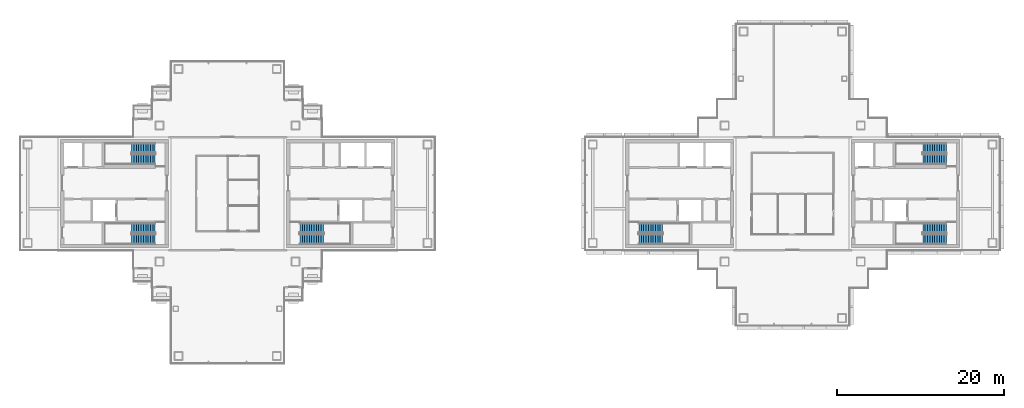
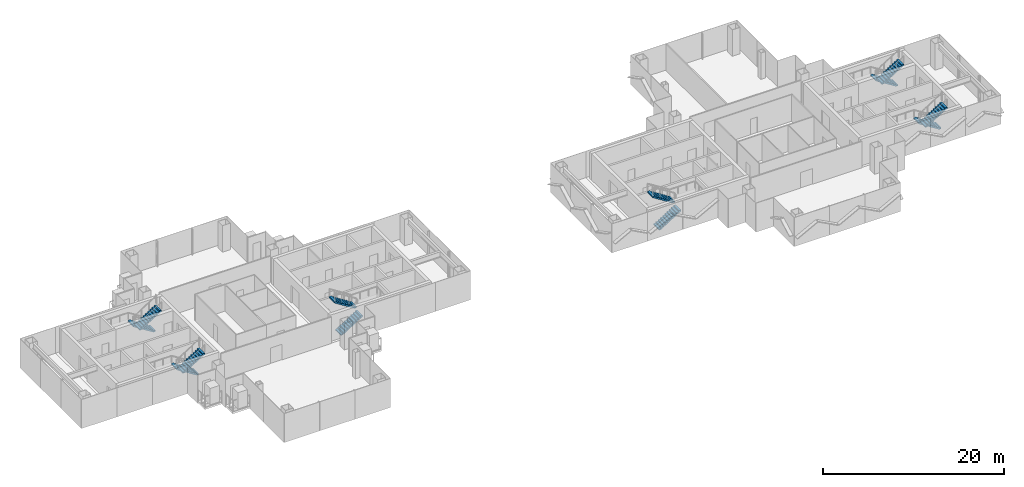
# One storey, part 13 of 17: 12 stair flights, 6 elements without a shape of their own.
"""IFC4 building model written with IfcOpenShell, lengths in metres."""

from ifc_helpers import new_model, si_unit, direction, frame, origin, place, context, subcontext, project, spatial, polyline, outline, extrude, material, type_object, element, aggregate, save


model = new_model("IFC4")

# Units and contexts
model_context = context("Model", 3, precision=1e-05, world=origin(), true_north=direction((0.0, 1.0)))
body_context = subcontext(model_context, "Body", "Model", "MODEL_VIEW")
ifc_project = project(units=[si_unit("LENGTHUNIT", "METRE"), si_unit("AREAUNIT", "SQUARE_METRE"), si_unit("VOLUMEUNIT", "CUBIC_METRE"), si_unit("PLANEANGLEUNIT", "RADIAN"), si_unit("MASSUNIT", "GRAM", prefix="KILO")], contexts=[model_context])

# Site, building, storey
site_placement = place(None, origin())
site = spatial("IfcSite", under=ifc_project, at=site_placement, CompositionType="ELEMENT")
building_placement = place(site_placement, origin())
building = spatial("IfcBuilding", under=site, at=building_placement, Name="Shamsa Quay Exchange Towers", CompositionType="ELEMENT")
storey_placement = place(building_placement, frame((0.0, 0.0, 217.800048828125)))
storey = spatial("IfcBuildingStorey", under=building, at=storey_placement, Name="L52", CompositionType="ELEMENT", Elevation=217.800048828125)

# Stair, stair flights
ifc_material = material(Name="Concrete C40/50", Category="concrete")
stair_type = type_object("IfcStairType", Name="EXIT STAIR 22 RISERS 177 MM", PredefinedType="HALF_TURN_STAIR", material=ifc_material)
stair_1_placement = place(storey_placement, origin())
stair_1 = element("IfcStair", 1, at=stair_1_placement, inside=storey, type_object=stair_type, Name="L52 Exit stair ST1", PredefinedType="HALF_TURN_STAIR")
stair_flight_type = type_object("IfcStairFlightType", Name="EXIT STAIR FLIGHT 11 RISERS 177 MM", PredefinedType="STRAIGHT", material=ifc_material)
stair_flight_1_placement = place(storey_placement, frame((-25.10009765625, -5.449951171875, 0.0)))
stair_flight_1 = element("IfcStairFlight", 2, at=stair_flight_1_placement, type_object=stair_flight_type, Name="ST1 flight 1", NumberOfRisers=11, NumberOfTreads=10, PredefinedType="STRAIGHT", RiserHeight=0.177272727, TreadLength=0.28, context=body_context, shape_type="SweptSolid", body=[
    extrude(outline(polyline([(0.0, 0.0), (0.0, 0.17724609375), (0.280029296875, 0.17724609375), (0.280029296875, 0.3544921875), (0.56005859375, 0.3544921875), (0.56005859375, 0.53173828125), (0.840087890625, 0.53173828125), (0.840087890625, 0.708984375), (1.1201171875, 0.708984375), (1.1201171875, 0.886474609375), (1.39990234375, 0.886474609375), (1.39990234375, 1.063720703125), (1.679931640625, 1.063720703125), (1.679931640625, 1.240966796875), (1.9599609375, 1.240966796875), (1.9599609375, 1.418212890625), (2.239990234375, 1.418212890625), (2.239990234375, 1.595458984375), (2.52001953125, 1.595458984375), (2.52001953125, 1.772705078125), (2.800048828125, 1.772705078125), (2.800048828125, 1.949951171875), (2.800048828125, 1.607177734375), (0.261474609375, 0.0), (0.0, 0.0)])), frame((0.0, 0.60009765625, 0.0), z_axis=(0.0, -1.0, 0.0), x_axis=(1.0, 0.0, 0.0)), (0.0, 0.0, 1.0), 1.199951171875),
])
stair_flight_2_placement = place(storey_placement, frame((-22.300048828125, -4.10009765625, 1.949951171875), z_axis=(0.0, 0.0, 1.0), x_axis=(-1.0, 0.0, 0.0)))
stair_flight_2 = element("IfcStairFlight", 3, at=stair_flight_2_placement, type_object=stair_flight_type, Name="ST1 flight 2", NumberOfRisers=11, NumberOfTreads=10, PredefinedType="STRAIGHT", RiserHeight=0.177272727, TreadLength=0.28, context=body_context, shape_type="SweptSolid", body=[
    extrude(outline(polyline([(0.0, 0.0), (0.0, 0.17724609375), (0.280029296875, 0.17724609375), (0.280029296875, 0.3544921875), (0.56005859375, 0.3544921875), (0.56005859375, 0.53173828125), (0.840087890625, 0.53173828125), (0.840087890625, 0.708984375), (1.1201171875, 0.708984375), (1.1201171875, 0.886474609375), (1.39990234375, 0.886474609375), (1.39990234375, 1.063720703125), (1.679931640625, 1.063720703125), (1.679931640625, 1.240966796875), (1.9599609375, 1.240966796875), (1.9599609375, 1.418212890625), (2.239990234375, 1.418212890625), (2.239990234375, 1.595458984375), (2.52001953125, 1.595458984375), (2.52001953125, 1.772705078125), (2.800048828125, 1.772705078125), (2.800048828125, 1.949951171875), (2.800048828125, 1.607177734375), (0.261474609375, 0.0), (0.0, 0.0)])), frame((0.0, 0.60009765625, 0.0), z_axis=(0.0, -1.0, 0.0), x_axis=(1.0, 0.0, 0.0)), (0.0, 0.0, 1.0), 1.199951171875),
])
aggregate(stair_1, [stair_flight_1, stair_flight_2])

stair_2_placement = place(storey_placement, origin())
stair_2 = element("IfcStair", 4, at=stair_2_placement, inside=storey, type_object=stair_type, Name="L52 Exit stair ST2", PredefinedType="HALF_TURN_STAIR")
stair_flight_3_placement = place(storey_placement, frame((-42.39990234375, -4.10009765625, 0.0), z_axis=(0.0, 0.0, 1.0), x_axis=(-1.0, 0.0, 0.0)))
stair_flight_3 = element("IfcStairFlight", 5, at=stair_flight_3_placement, type_object=stair_flight_type, Name="ST2 flight 1", NumberOfRisers=11, NumberOfTreads=10, PredefinedType="STRAIGHT", RiserHeight=0.177272727, TreadLength=0.28, context=body_context, shape_type="SweptSolid", body=[
    extrude(outline(polyline([(0.0, 0.0), (0.0, 0.17724609375), (0.280029296875, 0.17724609375), (0.280029296875, 0.3544921875), (0.56005859375, 0.3544921875), (0.56005859375, 0.53173828125), (0.840087890625, 0.53173828125), (0.840087890625, 0.708984375), (1.1201171875, 0.708984375), (1.1201171875, 0.886474609375), (1.39990234375, 0.886474609375), (1.39990234375, 1.063720703125), (1.679931640625, 1.063720703125), (1.679931640625, 1.240966796875), (1.9599609375, 1.240966796875), (1.9599609375, 1.418212890625), (2.239990234375, 1.418212890625), (2.239990234375, 1.595458984375), (2.52001953125, 1.595458984375), (2.52001953125, 1.772705078125), (2.800048828125, 1.772705078125), (2.800048828125, 1.949951171875), (2.800048828125, 1.607177734375), (0.261474609375, 0.0), (0.0, 0.0)])), frame((0.0, 0.60009765625, 0.0), z_axis=(0.0, -1.0, 0.0), x_axis=(1.0, 0.0, 0.0)), (0.0, 0.0, 1.0), 1.199951171875),
])
stair_flight_4_placement = place(storey_placement, frame((-45.199951171875, -5.449951171875, 1.949951171875)))
stair_flight_4 = element("IfcStairFlight", 6, at=stair_flight_4_placement, type_object=stair_flight_type, Name="ST2 flight 2", NumberOfRisers=11, NumberOfTreads=10, PredefinedType="STRAIGHT", RiserHeight=0.177272727, TreadLength=0.28, context=body_context, shape_type="SweptSolid", body=[
    extrude(outline(polyline([(0.0, 0.0), (0.0, 0.17724609375), (0.280029296875, 0.17724609375), (0.280029296875, 0.3544921875), (0.56005859375, 0.3544921875), (0.56005859375, 0.53173828125), (0.840087890625, 0.53173828125), (0.840087890625, 0.708984375), (1.1201171875, 0.708984375), (1.1201171875, 0.886474609375), (1.39990234375, 0.886474609375), (1.39990234375, 1.063720703125), (1.679931640625, 1.063720703125), (1.679931640625, 1.240966796875), (1.9599609375, 1.240966796875), (1.9599609375, 1.418212890625), (2.239990234375, 1.418212890625), (2.239990234375, 1.595458984375), (2.52001953125, 1.595458984375), (2.52001953125, 1.772705078125), (2.800048828125, 1.772705078125), (2.800048828125, 1.949951171875), (2.800048828125, 1.607177734375), (0.261474609375, 0.0), (0.0, 0.0)])), frame((0.0, 0.60009765625, 0.0), z_axis=(0.0, -1.0, 0.0), x_axis=(1.0, 0.0, 0.0)), (0.0, 0.0, 1.0), 1.199951171875),
])
aggregate(stair_2, [stair_flight_3, stair_flight_4])

stair_3_placement = place(storey_placement, origin())
stair_3 = element("IfcStair", 7, at=stair_3_placement, inside=storey, type_object=stair_type, Name="L52 Exit stair ST3", PredefinedType="HALF_TURN_STAIR")
stair_flight_5_placement = place(storey_placement, frame((-42.39990234375, 5.449951171875, 0.0), z_axis=(0.0, 0.0, 1.0), x_axis=(-1.0, 0.0, 0.0)))
stair_flight_5 = element("IfcStairFlight", 8, at=stair_flight_5_placement, type_object=stair_flight_type, Name="ST3 flight 1", NumberOfRisers=11, NumberOfTreads=10, PredefinedType="STRAIGHT", RiserHeight=0.177272727, TreadLength=0.28, context=body_context, shape_type="SweptSolid", body=[
    extrude(outline(polyline([(0.0, 0.0), (0.0, 0.17724609375), (0.280029296875, 0.17724609375), (0.280029296875, 0.3544921875), (0.56005859375, 0.3544921875), (0.56005859375, 0.53173828125), (0.840087890625, 0.53173828125), (0.840087890625, 0.708984375), (1.1201171875, 0.708984375), (1.1201171875, 0.886474609375), (1.39990234375, 0.886474609375), (1.39990234375, 1.063720703125), (1.679931640625, 1.063720703125), (1.679931640625, 1.240966796875), (1.9599609375, 1.240966796875), (1.9599609375, 1.418212890625), (2.239990234375, 1.418212890625), (2.239990234375, 1.595458984375), (2.52001953125, 1.595458984375), (2.52001953125, 1.772705078125), (2.800048828125, 1.772705078125), (2.800048828125, 1.949951171875), (2.800048828125, 1.607177734375), (0.261474609375, 0.0), (0.0, 0.0)])), frame((0.0, 0.60009765625, 0.0), z_axis=(0.0, -1.0, 0.0), x_axis=(1.0, 0.0, 0.0)), (0.0, 0.0, 1.0), 1.199951171875),
])
stair_flight_6_placement = place(storey_placement, frame((-45.199951171875, 4.10009765625, 1.949951171875)))
stair_flight_6 = element("IfcStairFlight", 9, at=stair_flight_6_placement, type_object=stair_flight_type, Name="ST3 flight 2", NumberOfRisers=11, NumberOfTreads=10, PredefinedType="STRAIGHT", RiserHeight=0.177272727, TreadLength=0.28, context=body_context, shape_type="SweptSolid", body=[
    extrude(outline(polyline([(0.0, 0.0), (0.0, 0.17724609375), (0.280029296875, 0.17724609375), (0.280029296875, 0.3544921875), (0.56005859375, 0.3544921875), (0.56005859375, 0.53173828125), (0.840087890625, 0.53173828125), (0.840087890625, 0.708984375), (1.1201171875, 0.708984375), (1.1201171875, 0.886474609375), (1.39990234375, 0.886474609375), (1.39990234375, 1.063720703125), (1.679931640625, 1.063720703125), (1.679931640625, 1.240966796875), (1.9599609375, 1.240966796875), (1.9599609375, 1.418212890625), (2.239990234375, 1.418212890625), (2.239990234375, 1.595458984375), (2.52001953125, 1.595458984375), (2.52001953125, 1.772705078125), (2.800048828125, 1.772705078125), (2.800048828125, 1.949951171875), (2.800048828125, 1.607177734375), (0.261474609375, 0.0), (0.0, 0.0)])), frame((0.0, 0.60009765625, 0.0), z_axis=(0.0, -1.0, 0.0), x_axis=(1.0, 0.0, 0.0)), (0.0, 0.0, 1.0), 1.199951171875),
])
aggregate(stair_3, [stair_flight_5, stair_flight_6])

stair_4_placement = place(storey_placement, origin())
stair_4 = element("IfcStair", 10, at=stair_4_placement, inside=storey, type_object=stair_type, Name="L52 Exit stair ST4", PredefinedType="HALF_TURN_STAIR")
stair_flight_7_placement = place(storey_placement, frame((15.39990234375, -5.449951171875, 0.0)))
stair_flight_7 = element("IfcStairFlight", 11, at=stair_flight_7_placement, type_object=stair_flight_type, Name="ST4 flight 1", NumberOfRisers=11, NumberOfTreads=10, PredefinedType="STRAIGHT", RiserHeight=0.177272727, TreadLength=0.28, context=body_context, shape_type="SweptSolid", body=[
    extrude(outline(polyline([(0.0, 0.0), (0.0, 0.17724609375), (0.280029296875, 0.17724609375), (0.280029296875, 0.3544921875), (0.56005859375, 0.3544921875), (0.56005859375, 0.53173828125), (0.840087890625, 0.53173828125), (0.840087890625, 0.708984375), (1.1201171875, 0.708984375), (1.1201171875, 0.886474609375), (1.39990234375, 0.886474609375), (1.39990234375, 1.063720703125), (1.679931640625, 1.063720703125), (1.679931640625, 1.240966796875), (1.9599609375, 1.240966796875), (1.9599609375, 1.418212890625), (2.239990234375, 1.418212890625), (2.239990234375, 1.595458984375), (2.52001953125, 1.595458984375), (2.52001953125, 1.772705078125), (2.800048828125, 1.772705078125), (2.800048828125, 1.949951171875), (2.800048828125, 1.607177734375), (0.261474609375, 0.0), (0.0, 0.0)])), frame((0.0, 0.60009765625, 0.0), z_axis=(0.0, -1.0, 0.0), x_axis=(1.0, 0.0, 0.0)), (0.0, 0.0, 1.0), 1.199951171875),
])
stair_flight_8_placement = place(storey_placement, frame((18.199951171875, -4.10009765625, 1.949951171875), z_axis=(0.0, 0.0, 1.0), x_axis=(-1.0, 0.0, 0.0)))
stair_flight_8 = element("IfcStairFlight", 12, at=stair_flight_8_placement, type_object=stair_flight_type, Name="ST4 flight 2", NumberOfRisers=11, NumberOfTreads=10, PredefinedType="STRAIGHT", RiserHeight=0.177272727, TreadLength=0.28, context=body_context, shape_type="SweptSolid", body=[
    extrude(outline(polyline([(0.0, 0.0), (0.0, 0.17724609375), (0.280029296875, 0.17724609375), (0.280029296875, 0.3544921875), (0.56005859375, 0.3544921875), (0.56005859375, 0.53173828125), (0.840087890625, 0.53173828125), (0.840087890625, 0.708984375), (1.1201171875, 0.708984375), (1.1201171875, 0.886474609375), (1.39990234375, 0.886474609375), (1.39990234375, 1.063720703125), (1.679931640625, 1.063720703125), (1.679931640625, 1.240966796875), (1.9599609375, 1.240966796875), (1.9599609375, 1.418212890625), (2.239990234375, 1.418212890625), (2.239990234375, 1.595458984375), (2.52001953125, 1.595458984375), (2.52001953125, 1.772705078125), (2.800048828125, 1.772705078125), (2.800048828125, 1.949951171875), (2.800048828125, 1.607177734375), (0.261474609375, 0.0), (0.0, 0.0)])), frame((0.0, 0.60009765625, 0.0), z_axis=(0.0, -1.0, 0.0), x_axis=(1.0, 0.0, 0.0)), (0.0, 0.0, 1.0), 1.199951171875),
])
aggregate(stair_4, [stair_flight_7, stair_flight_8])

stair_5_placement = place(storey_placement, origin())
stair_5 = element("IfcStair", 13, at=stair_5_placement, inside=storey, type_object=stair_type, Name="L52 Exit stair ST5", PredefinedType="HALF_TURN_STAIR")
stair_flight_9_placement = place(storey_placement, frame((52.10009765625, -4.10009765625, 0.0), z_axis=(0.0, 0.0, 1.0), x_axis=(-1.0, 0.0, 0.0)))
stair_flight_9 = element("IfcStairFlight", 14, at=stair_flight_9_placement, type_object=stair_flight_type, Name="ST5 flight 1", NumberOfRisers=11, NumberOfTreads=10, PredefinedType="STRAIGHT", RiserHeight=0.177272727, TreadLength=0.28, context=body_context, shape_type="SweptSolid", body=[
    extrude(outline(polyline([(0.0, 0.0), (0.0, 0.17724609375), (0.280029296875, 0.17724609375), (0.280029296875, 0.3544921875), (0.56005859375, 0.3544921875), (0.56005859375, 0.53173828125), (0.840087890625, 0.53173828125), (0.840087890625, 0.708984375), (1.1201171875, 0.708984375), (1.1201171875, 0.886474609375), (1.39990234375, 0.886474609375), (1.39990234375, 1.063720703125), (1.679931640625, 1.063720703125), (1.679931640625, 1.240966796875), (1.9599609375, 1.240966796875), (1.9599609375, 1.418212890625), (2.239990234375, 1.418212890625), (2.239990234375, 1.595458984375), (2.52001953125, 1.595458984375), (2.52001953125, 1.772705078125), (2.800048828125, 1.772705078125), (2.800048828125, 1.949951171875), (2.800048828125, 1.607177734375), (0.261474609375, 0.0), (0.0, 0.0)])), frame((0.0, 0.60009765625, 0.0), z_axis=(0.0, -1.0, 0.0), x_axis=(1.0, 0.0, 0.0)), (0.0, 0.0, 1.0), 1.199951171875),
])
stair_flight_10_placement = place(storey_placement, frame((49.300048828125, -5.449951171875, 1.949951171875)))
stair_flight_10 = element("IfcStairFlight", 15, at=stair_flight_10_placement, type_object=stair_flight_type, Name="ST5 flight 2", NumberOfRisers=11, NumberOfTreads=10, PredefinedType="STRAIGHT", RiserHeight=0.177272727, TreadLength=0.28, context=body_context, shape_type="SweptSolid", body=[
    extrude(outline(polyline([(0.0, 0.0), (0.0, 0.17724609375), (0.280029296875, 0.17724609375), (0.280029296875, 0.3544921875), (0.56005859375, 0.3544921875), (0.56005859375, 0.53173828125), (0.840087890625, 0.53173828125), (0.840087890625, 0.708984375), (1.1201171875, 0.708984375), (1.1201171875, 0.886474609375), (1.39990234375, 0.886474609375), (1.39990234375, 1.063720703125), (1.679931640625, 1.063720703125), (1.679931640625, 1.240966796875), (1.9599609375, 1.240966796875), (1.9599609375, 1.418212890625), (2.239990234375, 1.418212890625), (2.239990234375, 1.595458984375), (2.52001953125, 1.595458984375), (2.52001953125, 1.772705078125), (2.800048828125, 1.772705078125), (2.800048828125, 1.949951171875), (2.800048828125, 1.607177734375), (0.261474609375, 0.0), (0.0, 0.0)])), frame((0.0, 0.60009765625, 0.0), z_axis=(0.0, -1.0, 0.0), x_axis=(1.0, 0.0, 0.0)), (0.0, 0.0, 1.0), 1.199951171875),
])
aggregate(stair_5, [stair_flight_9, stair_flight_10])

stair_6_placement = place(storey_placement, origin())
stair_6 = element("IfcStair", 16, at=stair_6_placement, inside=storey, type_object=stair_type, Name="L52 Exit stair ST6", PredefinedType="HALF_TURN_STAIR")
stair_flight_11_placement = place(storey_placement, frame((52.10009765625, 5.449951171875, 0.0), z_axis=(0.0, 0.0, 1.0), x_axis=(-1.0, 0.0, 0.0)))
stair_flight_11 = element("IfcStairFlight", 17, at=stair_flight_11_placement, type_object=stair_flight_type, Name="ST6 flight 1", NumberOfRisers=11, NumberOfTreads=10, PredefinedType="STRAIGHT", RiserHeight=0.177272727, TreadLength=0.28, context=body_context, shape_type="SweptSolid", body=[
    extrude(outline(polyline([(0.0, 0.0), (0.0, 0.17724609375), (0.280029296875, 0.17724609375), (0.280029296875, 0.3544921875), (0.56005859375, 0.3544921875), (0.56005859375, 0.53173828125), (0.840087890625, 0.53173828125), (0.840087890625, 0.708984375), (1.1201171875, 0.708984375), (1.1201171875, 0.886474609375), (1.39990234375, 0.886474609375), (1.39990234375, 1.063720703125), (1.679931640625, 1.063720703125), (1.679931640625, 1.240966796875), (1.9599609375, 1.240966796875), (1.9599609375, 1.418212890625), (2.239990234375, 1.418212890625), (2.239990234375, 1.595458984375), (2.52001953125, 1.595458984375), (2.52001953125, 1.772705078125), (2.800048828125, 1.772705078125), (2.800048828125, 1.949951171875), (2.800048828125, 1.607177734375), (0.261474609375, 0.0), (0.0, 0.0)])), frame((0.0, 0.60009765625, 0.0), z_axis=(0.0, -1.0, 0.0), x_axis=(1.0, 0.0, 0.0)), (0.0, 0.0, 1.0), 1.199951171875),
])
stair_flight_12_placement = place(storey_placement, frame((49.300048828125, 4.10009765625, 1.949951171875)))
stair_flight_12 = element("IfcStairFlight", 18, at=stair_flight_12_placement, type_object=stair_flight_type, Name="ST6 flight 2", NumberOfRisers=11, NumberOfTreads=10, PredefinedType="STRAIGHT", RiserHeight=0.177272727, TreadLength=0.28, context=body_context, shape_type="SweptSolid", body=[
    extrude(outline(polyline([(0.0, 0.0), (0.0, 0.17724609375), (0.280029296875, 0.17724609375), (0.280029296875, 0.3544921875), (0.56005859375, 0.3544921875), (0.56005859375, 0.53173828125), (0.840087890625, 0.53173828125), (0.840087890625, 0.708984375), (1.1201171875, 0.708984375), (1.1201171875, 0.886474609375), (1.39990234375, 0.886474609375), (1.39990234375, 1.063720703125), (1.679931640625, 1.063720703125), (1.679931640625, 1.240966796875), (1.9599609375, 1.240966796875), (1.9599609375, 1.418212890625), (2.239990234375, 1.418212890625), (2.239990234375, 1.595458984375), (2.52001953125, 1.595458984375), (2.52001953125, 1.772705078125), (2.800048828125, 1.772705078125), (2.800048828125, 1.949951171875), (2.800048828125, 1.607177734375), (0.261474609375, 0.0), (0.0, 0.0)])), frame((0.0, 0.60009765625, 0.0), z_axis=(0.0, -1.0, 0.0), x_axis=(1.0, 0.0, 0.0)), (0.0, 0.0, 1.0), 1.199951171875),
])
aggregate(stair_6, [stair_flight_11, stair_flight_12])

save(model, "model.ifc")
